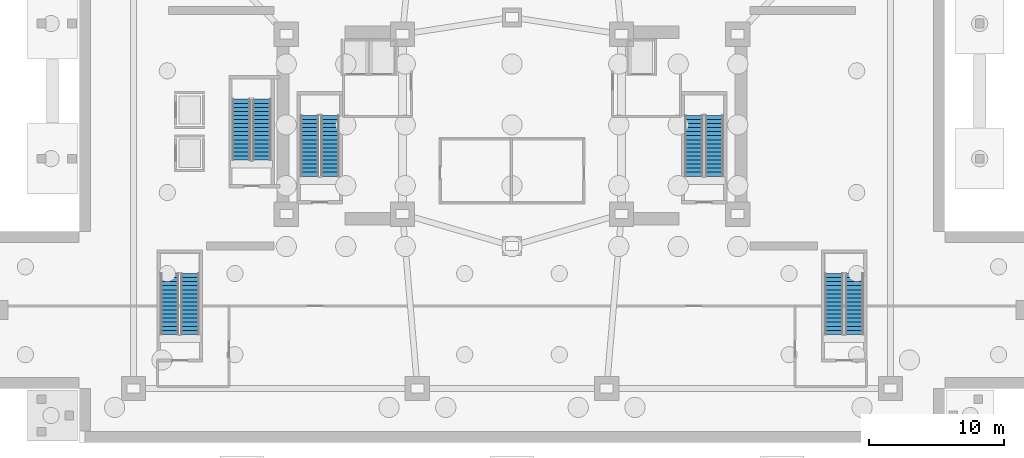
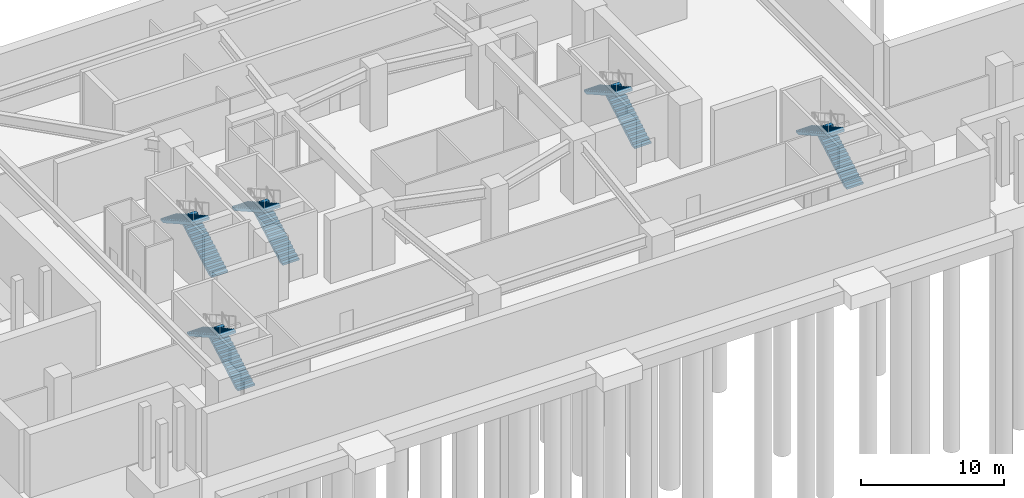
# One storey, part 6 of 9: 10 stair flights, 5 elements without a shape of their own.
"""IFC4 building model written with IfcOpenShell, lengths in metres."""

from ifc_helpers import new_model, si_unit, direction, frame, origin, place, context, subcontext, project, spatial, polyline, outline, extrude, material, type_object, element, aggregate, save


model = new_model("IFC4")

# Units and contexts
model_context = context("Model", 3, precision=1e-05, world=origin(), true_north=direction((0.0, 1.0)))
body_context = subcontext(model_context, "Body", "Model", "MODEL_VIEW")
ifc_project = project(units=[si_unit("LENGTHUNIT", "METRE"), si_unit("AREAUNIT", "SQUARE_METRE"), si_unit("VOLUMEUNIT", "CUBIC_METRE"), si_unit("PLANEANGLEUNIT", "RADIAN"), si_unit("MASSUNIT", "GRAM", prefix="KILO")], contexts=[model_context])

# Site, building, storey
site_placement = place(None, origin())
site = spatial("IfcSite", under=ifc_project, at=site_placement, CompositionType="ELEMENT")
building_placement = place(site_placement, origin())
building = spatial("IfcBuilding", under=site, at=building_placement, Name="Solvane Sanctuary Tower", CompositionType="ELEMENT")
storey_placement = place(building_placement, frame((0.0, 0.0, -10.800048828125)))
storey = spatial("IfcBuildingStorey", under=building, at=storey_placement, Name="B02", CompositionType="ELEMENT", Elevation=-10.800048828125)

# Stair, stair flights
ifc_material_1 = material(Name="Concrete C50/60", Category="concrete")
stair_type_1 = type_object("IfcStairType", Name="Stair ST-METRO", PredefinedType="HALF_TURN_STAIR", material=ifc_material_1)
stair_1_placement = place(storey_placement, origin())
stair_1 = element("IfcStair", 1, at=stair_1_placement, inside=storey, type_object=stair_type_1, Name="B02 Exit Stair ST-5 Metro East Stair", PredefinedType="HALF_TURN_STAIR")
stair_flight_type_1 = type_object("IfcStairFlightType", Name="StairFlight SF-METRO", PredefinedType="STRAIGHT", material=ifc_material_1)
stair_flight_1_placement = place(storey_placement, frame((57.324951171875, 8.0, 0.0), z_axis=(0.0, 0.0, 1.0), x_axis=(0.0, 1.0, 0.0)))
stair_flight_1 = element("IfcStairFlight", 2, at=stair_flight_1_placement, type_object=stair_flight_type_1, Name="ST-5 flight 1", NumberOfRisers=16, NumberOfTreads=15, PredefinedType="STRAIGHT", RiserHeight=0.16875, TreadLength=0.3, context=body_context, shape_type="SweptSolid", body=[
    extrude(outline(polyline([(0.0, 0.0), (0.0, 0.168701171875), (0.300048828125, 0.168701171875), (0.300048828125, 0.33740234375), (0.60009765625, 0.33740234375), (0.60009765625, 0.50634765625), (0.89990234375, 0.50634765625), (0.89990234375, 0.675048828125), (1.199951171875, 0.675048828125), (1.199951171875, 0.84375), (1.5, 0.84375), (1.5, 1.012451171875), (1.800048828125, 1.012451171875), (1.800048828125, 1.18115234375), (2.10009765625, 1.18115234375), (2.10009765625, 1.35009765625), (2.39990234375, 1.35009765625), (2.39990234375, 1.518798828125), (2.699951171875, 1.518798828125), (2.699951171875, 1.6875), (3.0, 1.6875), (3.0, 1.856201171875), (3.300048828125, 1.856201171875), (3.300048828125, 2.02490234375), (3.60009765625, 2.02490234375), (3.60009765625, 2.19384765625), (3.89990234375, 2.19384765625), (3.89990234375, 2.362548828125), (4.199951171875, 2.362548828125), (4.199951171875, 2.53125), (4.5, 2.53125), (4.5, 2.699951171875), (4.5, 2.32470703125), (0.366943359375, 0.0), (0.0, 0.0)])), frame((0.0, 0.675048828125, 0.0), z_axis=(0.0, -1.0, 0.0), x_axis=(1.0, 0.0, 0.0)), (0.0, 0.0, 1.0), 1.35009765625),
])
stair_flight_2_placement = place(storey_placement, frame((55.81494140625, 12.5, 2.699951171875), z_axis=(0.0, 0.0, 1.0), x_axis=(0.0, -1.0, 0.0)))
stair_flight_2 = element("IfcStairFlight", 3, at=stair_flight_2_placement, type_object=stair_flight_type_1, Name="ST-5 flight 2", NumberOfRisers=16, NumberOfTreads=15, PredefinedType="STRAIGHT", RiserHeight=0.16875, TreadLength=0.3, context=body_context, shape_type="SweptSolid", body=[
    extrude(outline(polyline([(0.0, 0.0), (0.0, 0.168701171875), (0.300048828125, 0.168701171875), (0.300048828125, 0.33740234375), (0.60009765625, 0.33740234375), (0.60009765625, 0.50634765625), (0.89990234375, 0.50634765625), (0.89990234375, 0.675048828125), (1.199951171875, 0.675048828125), (1.199951171875, 0.84375), (1.5, 0.84375), (1.5, 1.012451171875), (1.800048828125, 1.012451171875), (1.800048828125, 1.18115234375), (2.10009765625, 1.18115234375), (2.10009765625, 1.35009765625), (2.39990234375, 1.35009765625), (2.39990234375, 1.518798828125), (2.699951171875, 1.518798828125), (2.699951171875, 1.6875), (3.0, 1.6875), (3.0, 1.856201171875), (3.300048828125, 1.856201171875), (3.300048828125, 2.02490234375), (3.60009765625, 2.02490234375), (3.60009765625, 2.19384765625), (3.89990234375, 2.19384765625), (3.89990234375, 2.362548828125), (4.199951171875, 2.362548828125), (4.199951171875, 2.53125), (4.5, 2.53125), (4.5, 2.699951171875), (4.5, 2.32470703125), (0.366943359375, 0.0), (0.0, 0.0)])), frame((0.0, 0.675048828125, 0.0), z_axis=(0.0, -1.0, 0.0), x_axis=(1.0, 0.0, 0.0)), (0.0, 0.0, 1.0), 1.35009765625),
])
aggregate(stair_1, [stair_flight_1, stair_flight_2])

stair_type_2 = type_object("IfcStairType", Name="Stair ST-POD", PredefinedType="HALF_TURN_STAIR", material=ifc_material_1)
stair_2_placement = place(storey_placement, origin())
stair_2 = element("IfcStair", 4, at=stair_2_placement, inside=storey, type_object=stair_type_2, Name="B02 Exit Stair ST-4 Metro West Stair", PredefinedType="HALF_TURN_STAIR")
stair_flight_type_2 = type_object("IfcStairFlightType", Name="StairFlight SF-POD", PredefinedType="STRAIGHT", material=ifc_material_1)
stair_flight_3_placement = place(storey_placement, frame((8.18505859375, 8.0, 0.0), z_axis=(0.0, 0.0, 1.0), x_axis=(0.0, 1.0, 0.0)))
stair_flight_3 = element("IfcStairFlight", 5, at=stair_flight_3_placement, type_object=stair_flight_type_2, Name="ST-4 flight 1", NumberOfRisers=16, NumberOfTreads=15, PredefinedType="STRAIGHT", RiserHeight=0.16875, TreadLength=0.3, context=body_context, shape_type="SweptSolid", body=[
    extrude(outline(polyline([(0.0, 0.0), (0.0, 0.168701171875), (0.300048828125, 0.168701171875), (0.300048828125, 0.33740234375), (0.60009765625, 0.33740234375), (0.60009765625, 0.50634765625), (0.89990234375, 0.50634765625), (0.89990234375, 0.675048828125), (1.199951171875, 0.675048828125), (1.199951171875, 0.84375), (1.5, 0.84375), (1.5, 1.012451171875), (1.800048828125, 1.012451171875), (1.800048828125, 1.18115234375), (2.10009765625, 1.18115234375), (2.10009765625, 1.35009765625), (2.39990234375, 1.35009765625), (2.39990234375, 1.518798828125), (2.699951171875, 1.518798828125), (2.699951171875, 1.6875), (3.0, 1.6875), (3.0, 1.856201171875), (3.300048828125, 1.856201171875), (3.300048828125, 2.02490234375), (3.60009765625, 2.02490234375), (3.60009765625, 2.19384765625), (3.89990234375, 2.19384765625), (3.89990234375, 2.362548828125), (4.199951171875, 2.362548828125), (4.199951171875, 2.53125), (4.5, 2.53125), (4.5, 2.699951171875), (4.5, 2.32470703125), (0.366943359375, 0.0), (0.0, 0.0)])), frame((0.0, 0.675048828125, 0.0), z_axis=(0.0, -1.0, 0.0), x_axis=(1.0, 0.0, 0.0)), (0.0, 0.0, 1.0), 1.35009765625),
])
stair_flight_4_placement = place(storey_placement, frame((6.675048828125, 12.5, 2.699951171875), z_axis=(0.0, 0.0, 1.0), x_axis=(0.0, -1.0, 0.0)))
stair_flight_4 = element("IfcStairFlight", 6, at=stair_flight_4_placement, type_object=stair_flight_type_2, Name="ST-4 flight 2", NumberOfRisers=16, NumberOfTreads=15, PredefinedType="STRAIGHT", RiserHeight=0.16875, TreadLength=0.3, context=body_context, shape_type="SweptSolid", body=[
    extrude(outline(polyline([(0.0, 0.0), (0.0, 0.168701171875), (0.300048828125, 0.168701171875), (0.300048828125, 0.33740234375), (0.60009765625, 0.33740234375), (0.60009765625, 0.50634765625), (0.89990234375, 0.50634765625), (0.89990234375, 0.675048828125), (1.199951171875, 0.675048828125), (1.199951171875, 0.84375), (1.5, 0.84375), (1.5, 1.012451171875), (1.800048828125, 1.012451171875), (1.800048828125, 1.18115234375), (2.10009765625, 1.18115234375), (2.10009765625, 1.35009765625), (2.39990234375, 1.35009765625), (2.39990234375, 1.518798828125), (2.699951171875, 1.518798828125), (2.699951171875, 1.6875), (3.0, 1.6875), (3.0, 1.856201171875), (3.300048828125, 1.856201171875), (3.300048828125, 2.02490234375), (3.60009765625, 2.02490234375), (3.60009765625, 2.19384765625), (3.89990234375, 2.19384765625), (3.89990234375, 2.362548828125), (4.199951171875, 2.362548828125), (4.199951171875, 2.53125), (4.5, 2.53125), (4.5, 2.699951171875), (4.5, 2.32470703125), (0.366943359375, 0.0), (0.0, 0.0)])), frame((0.0, 0.675048828125, 0.0), z_axis=(0.0, -1.0, 0.0), x_axis=(1.0, 0.0, 0.0)), (0.0, 0.0, 1.0), 1.35009765625),
])
aggregate(stair_2, [stair_flight_3, stair_flight_4])

ifc_material_2 = material(Name="Concrete C45/55", Category="concrete")
stair_type_3 = type_object("IfcStairType", Name="Stair ST-TOW", PredefinedType="HALF_TURN_STAIR", material=ifc_material_2)
stair_3_placement = place(storey_placement, origin())
stair_3 = element("IfcStair", 7, at=stair_3_placement, inside=storey, type_object=stair_type_3, Name="B02 Exit Stair ST-1 West Core", PredefinedType="HALF_TURN_STAIR")
stair_flight_type_3 = type_object("IfcStairFlightType", Name="StairFlight SF-TOW", PredefinedType="STRAIGHT", material=ifc_material_2)
stair_flight_5_placement = place(storey_placement, frame((18.544921875, 19.699951171875, 0.0), z_axis=(0.0, 0.0, 1.0), x_axis=(0.0, 1.0, 0.0)))
stair_flight_5 = element("IfcStairFlight", 8, at=stair_flight_5_placement, type_object=stair_flight_type_3, Name="ST-1 flight 1", NumberOfRisers=16, NumberOfTreads=15, PredefinedType="STRAIGHT", RiserHeight=0.16875, TreadLength=0.3, context=body_context, shape_type="SweptSolid", body=[
    extrude(outline(polyline([(0.0, 0.0), (0.0, 0.168701171875), (0.300048828125, 0.168701171875), (0.300048828125, 0.33740234375), (0.60009765625, 0.33740234375), (0.60009765625, 0.50634765625), (0.89990234375, 0.50634765625), (0.89990234375, 0.675048828125), (1.199951171875, 0.675048828125), (1.199951171875, 0.84375), (1.5, 0.84375), (1.5, 1.012451171875), (1.800048828125, 1.012451171875), (1.800048828125, 1.18115234375), (2.10009765625, 1.18115234375), (2.10009765625, 1.35009765625), (2.39990234375, 1.35009765625), (2.39990234375, 1.518798828125), (2.699951171875, 1.518798828125), (2.699951171875, 1.6875), (3.0, 1.6875), (3.0, 1.856201171875), (3.300048828125, 1.856201171875), (3.300048828125, 2.02490234375), (3.60009765625, 2.02490234375), (3.60009765625, 2.19384765625), (3.89990234375, 2.19384765625), (3.89990234375, 2.362548828125), (4.199951171875, 2.362548828125), (4.199951171875, 2.53125), (4.5, 2.53125), (4.5, 2.699951171875), (4.5, 2.32470703125), (0.366943359375, 0.0), (0.0, 0.0)])), frame((0.0, 0.675048828125, 0.0), z_axis=(0.0, -1.0, 0.0), x_axis=(1.0, 0.0, 0.0)), (0.0, 0.0, 1.0), 1.35009765625),
])
stair_flight_6_placement = place(storey_placement, frame((17.034912109375, 24.199951171875, 2.699951171875), z_axis=(0.0, 0.0, 1.0), x_axis=(0.0, -1.0, 0.0)))
stair_flight_6 = element("IfcStairFlight", 9, at=stair_flight_6_placement, type_object=stair_flight_type_3, Name="ST-1 flight 2", NumberOfRisers=16, NumberOfTreads=15, PredefinedType="STRAIGHT", RiserHeight=0.16875, TreadLength=0.3, context=body_context, shape_type="SweptSolid", body=[
    extrude(outline(polyline([(0.0, 0.0), (0.0, 0.168701171875), (0.300048828125, 0.168701171875), (0.300048828125, 0.33740234375), (0.60009765625, 0.33740234375), (0.60009765625, 0.50634765625), (0.89990234375, 0.50634765625), (0.89990234375, 0.675048828125), (1.199951171875, 0.675048828125), (1.199951171875, 0.84375), (1.5, 0.84375), (1.5, 1.012451171875), (1.800048828125, 1.012451171875), (1.800048828125, 1.18115234375), (2.10009765625, 1.18115234375), (2.10009765625, 1.35009765625), (2.39990234375, 1.35009765625), (2.39990234375, 1.518798828125), (2.699951171875, 1.518798828125), (2.699951171875, 1.6875), (3.0, 1.6875), (3.0, 1.856201171875), (3.300048828125, 1.856201171875), (3.300048828125, 2.02490234375), (3.60009765625, 2.02490234375), (3.60009765625, 2.19384765625), (3.89990234375, 2.19384765625), (3.89990234375, 2.362548828125), (4.199951171875, 2.362548828125), (4.199951171875, 2.53125), (4.5, 2.53125), (4.5, 2.699951171875), (4.5, 2.32470703125), (0.366943359375, 0.0), (0.0, 0.0)])), frame((0.0, 0.675048828125, 0.0), z_axis=(0.0, -1.0, 0.0), x_axis=(1.0, 0.0, 0.0)), (0.0, 0.0, 1.0), 1.35009765625),
])
aggregate(stair_3, [stair_flight_5, stair_flight_6])

stair_4_placement = place(storey_placement, origin())
stair_4 = element("IfcStair", 10, at=stair_4_placement, inside=storey, type_object=stair_type_3, Name="B02 Exit Stair ST-2 East Core", PredefinedType="HALF_TURN_STAIR")
stair_flight_7_placement = place(storey_placement, frame((46.965087890625, 19.699951171875, 0.0), z_axis=(0.0, 0.0, 1.0), x_axis=(0.0, 1.0, 0.0)))
stair_flight_7 = element("IfcStairFlight", 11, at=stair_flight_7_placement, type_object=stair_flight_type_3, Name="ST-2 flight 1", NumberOfRisers=16, NumberOfTreads=15, PredefinedType="STRAIGHT", RiserHeight=0.16875, TreadLength=0.3, context=body_context, shape_type="SweptSolid", body=[
    extrude(outline(polyline([(0.0, 0.0), (0.0, 0.168701171875), (0.300048828125, 0.168701171875), (0.300048828125, 0.33740234375), (0.60009765625, 0.33740234375), (0.60009765625, 0.50634765625), (0.89990234375, 0.50634765625), (0.89990234375, 0.675048828125), (1.199951171875, 0.675048828125), (1.199951171875, 0.84375), (1.5, 0.84375), (1.5, 1.012451171875), (1.800048828125, 1.012451171875), (1.800048828125, 1.18115234375), (2.10009765625, 1.18115234375), (2.10009765625, 1.35009765625), (2.39990234375, 1.35009765625), (2.39990234375, 1.518798828125), (2.699951171875, 1.518798828125), (2.699951171875, 1.6875), (3.0, 1.6875), (3.0, 1.856201171875), (3.300048828125, 1.856201171875), (3.300048828125, 2.02490234375), (3.60009765625, 2.02490234375), (3.60009765625, 2.19384765625), (3.89990234375, 2.19384765625), (3.89990234375, 2.362548828125), (4.199951171875, 2.362548828125), (4.199951171875, 2.53125), (4.5, 2.53125), (4.5, 2.699951171875), (4.5, 2.32470703125), (0.366943359375, 0.0), (0.0, 0.0)])), frame((0.0, 0.675048828125, 0.0), z_axis=(0.0, -1.0, 0.0), x_axis=(1.0, 0.0, 0.0)), (0.0, 0.0, 1.0), 1.35009765625),
])
stair_flight_8_placement = place(storey_placement, frame((45.455078125, 24.199951171875, 2.699951171875), z_axis=(0.0, 0.0, 1.0), x_axis=(0.0, -1.0, 0.0)))
stair_flight_8 = element("IfcStairFlight", 12, at=stair_flight_8_placement, type_object=stair_flight_type_3, Name="ST-2 flight 2", NumberOfRisers=16, NumberOfTreads=15, PredefinedType="STRAIGHT", RiserHeight=0.16875, TreadLength=0.3, context=body_context, shape_type="SweptSolid", body=[
    extrude(outline(polyline([(0.0, 0.0), (0.0, 0.168701171875), (0.300048828125, 0.168701171875), (0.300048828125, 0.33740234375), (0.60009765625, 0.33740234375), (0.60009765625, 0.50634765625), (0.89990234375, 0.50634765625), (0.89990234375, 0.675048828125), (1.199951171875, 0.675048828125), (1.199951171875, 0.84375), (1.5, 0.84375), (1.5, 1.012451171875), (1.800048828125, 1.012451171875), (1.800048828125, 1.18115234375), (2.10009765625, 1.18115234375), (2.10009765625, 1.35009765625), (2.39990234375, 1.35009765625), (2.39990234375, 1.518798828125), (2.699951171875, 1.518798828125), (2.699951171875, 1.6875), (3.0, 1.6875), (3.0, 1.856201171875), (3.300048828125, 1.856201171875), (3.300048828125, 2.02490234375), (3.60009765625, 2.02490234375), (3.60009765625, 2.19384765625), (3.89990234375, 2.19384765625), (3.89990234375, 2.362548828125), (4.199951171875, 2.362548828125), (4.199951171875, 2.53125), (4.5, 2.53125), (4.5, 2.699951171875), (4.5, 2.32470703125), (0.366943359375, 0.0), (0.0, 0.0)])), frame((0.0, 0.675048828125, 0.0), z_axis=(0.0, -1.0, 0.0), x_axis=(1.0, 0.0, 0.0)), (0.0, 0.0, 1.0), 1.35009765625),
])
aggregate(stair_4, [stair_flight_7, stair_flight_8])

stair_5_placement = place(storey_placement, origin())
stair_5 = element("IfcStair", 13, at=stair_5_placement, inside=storey, type_object=stair_type_3, Name="B02 Exit Stair ST-3 Pilgrim Tower Stair", PredefinedType="HALF_TURN_STAIR")
stair_flight_9_placement = place(storey_placement, frame((13.485107421875, 20.89990234375, 0.0), z_axis=(0.0, 0.0, 1.0), x_axis=(0.0, 1.0, 0.0)))
stair_flight_9 = element("IfcStairFlight", 14, at=stair_flight_9_placement, type_object=stair_flight_type_3, Name="ST-3 flight 1", NumberOfRisers=16, NumberOfTreads=15, PredefinedType="STRAIGHT", RiserHeight=0.16875, TreadLength=0.3, context=body_context, shape_type="SweptSolid", body=[
    extrude(outline(polyline([(0.0, 0.0), (0.0, 0.168701171875), (0.300048828125, 0.168701171875), (0.300048828125, 0.33740234375), (0.60009765625, 0.33740234375), (0.60009765625, 0.50634765625), (0.89990234375, 0.50634765625), (0.89990234375, 0.675048828125), (1.199951171875, 0.675048828125), (1.199951171875, 0.84375), (1.5, 0.84375), (1.5, 1.012451171875), (1.800048828125, 1.012451171875), (1.800048828125, 1.18115234375), (2.10009765625, 1.18115234375), (2.10009765625, 1.35009765625), (2.39990234375, 1.35009765625), (2.39990234375, 1.518798828125), (2.699951171875, 1.518798828125), (2.699951171875, 1.6875), (3.0, 1.6875), (3.0, 1.856201171875), (3.300048828125, 1.856201171875), (3.300048828125, 2.02490234375), (3.60009765625, 2.02490234375), (3.60009765625, 2.19384765625), (3.89990234375, 2.19384765625), (3.89990234375, 2.362548828125), (4.199951171875, 2.362548828125), (4.199951171875, 2.53125), (4.5, 2.53125), (4.5, 2.699951171875), (4.5, 2.32470703125), (0.366943359375, 0.0), (0.0, 0.0)])), frame((0.0, 0.675048828125, 0.0), z_axis=(0.0, -1.0, 0.0), x_axis=(1.0, 0.0, 0.0)), (0.0, 0.0, 1.0), 1.35009765625),
])
stair_flight_10_placement = place(storey_placement, frame((11.97509765625, 25.39990234375, 2.699951171875), z_axis=(0.0, 0.0, 1.0), x_axis=(0.0, -1.0, 0.0)))
stair_flight_10 = element("IfcStairFlight", 15, at=stair_flight_10_placement, type_object=stair_flight_type_3, Name="ST-3 flight 2", NumberOfRisers=16, NumberOfTreads=15, PredefinedType="STRAIGHT", RiserHeight=0.16875, TreadLength=0.3, context=body_context, shape_type="SweptSolid", body=[
    extrude(outline(polyline([(0.0, 0.0), (0.0, 0.168701171875), (0.300048828125, 0.168701171875), (0.300048828125, 0.33740234375), (0.60009765625, 0.33740234375), (0.60009765625, 0.50634765625), (0.89990234375, 0.50634765625), (0.89990234375, 0.675048828125), (1.199951171875, 0.675048828125), (1.199951171875, 0.84375), (1.5, 0.84375), (1.5, 1.012451171875), (1.800048828125, 1.012451171875), (1.800048828125, 1.18115234375), (2.10009765625, 1.18115234375), (2.10009765625, 1.35009765625), (2.39990234375, 1.35009765625), (2.39990234375, 1.518798828125), (2.699951171875, 1.518798828125), (2.699951171875, 1.6875), (3.0, 1.6875), (3.0, 1.856201171875), (3.300048828125, 1.856201171875), (3.300048828125, 2.02490234375), (3.60009765625, 2.02490234375), (3.60009765625, 2.19384765625), (3.89990234375, 2.19384765625), (3.89990234375, 2.362548828125), (4.199951171875, 2.362548828125), (4.199951171875, 2.53125), (4.5, 2.53125), (4.5, 2.699951171875), (4.5, 2.32470703125), (0.366943359375, 0.0), (0.0, 0.0)])), frame((0.0, 0.675048828125, 0.0), z_axis=(0.0, -1.0, 0.0), x_axis=(1.0, 0.0, 0.0)), (0.0, 0.0, 1.0), 1.35009765625),
])
aggregate(stair_5, [stair_flight_9, stair_flight_10])

save(model, "model.ifc")
